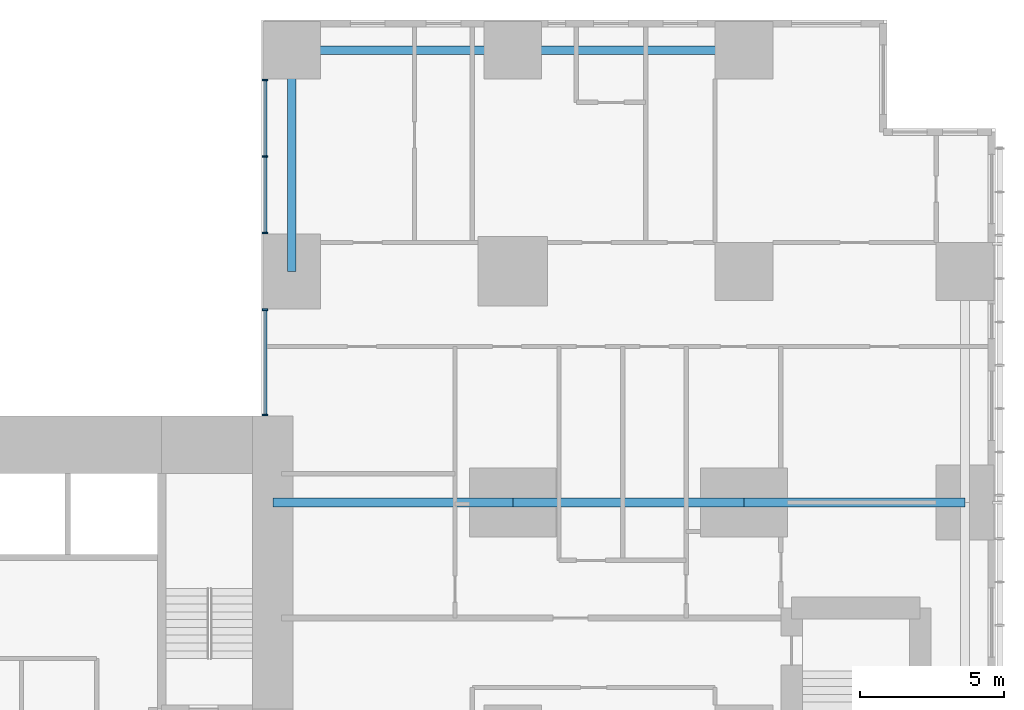
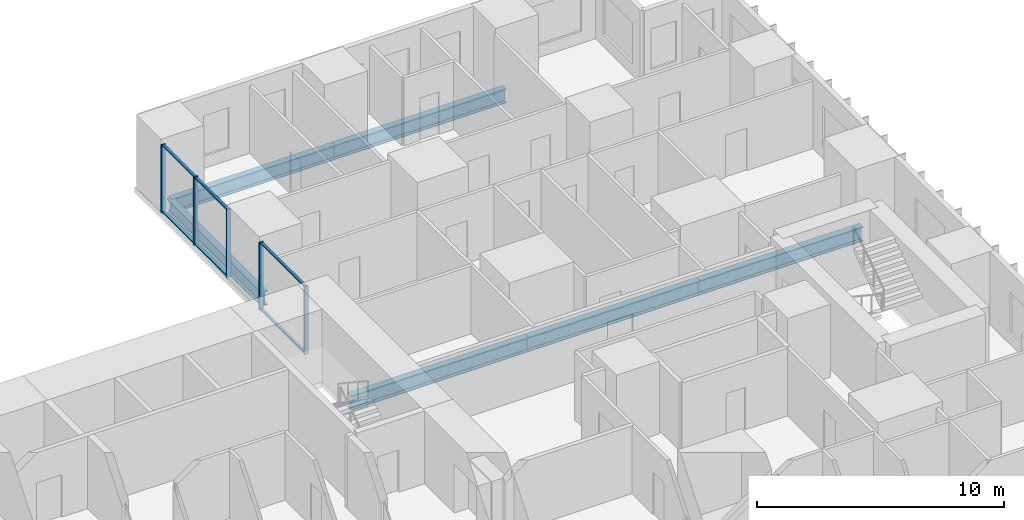
# One storey, part 5 of 20: 11 members, 6 beams, 2 elements without a shape of their own.
"""IFC4 building model written with IfcOpenShell, lengths in metres."""

from ifc_helpers import new_model, si_unit, direction, frame, origin, origin_2d, place, context, subcontext, project, spatial, rectangle, i_section, extrude, material, layer, layer_set, material_profile, profile_set, type_object, element, aggregate, save


model = new_model("IFC4")

# Units and contexts
model_context = context("Model", 3, precision=1e-05, world=origin(), true_north=direction((0.0, 1.0)))
body_context = subcontext(model_context, "Body", "Model", "MODEL_VIEW")
ifc_project = project(units=[si_unit("LENGTHUNIT", "METRE"), si_unit("AREAUNIT", "SQUARE_METRE"), si_unit("VOLUMEUNIT", "CUBIC_METRE"), si_unit("PLANEANGLEUNIT", "RADIAN"), si_unit("MASSUNIT", "GRAM", prefix="KILO")], contexts=[model_context])

# Site, building, storey
site_placement = place(None, origin())
site = spatial("IfcSite", under=ifc_project, at=site_placement, CompositionType="ELEMENT")
building_placement = place(site_placement, origin())
building = spatial("IfcBuilding", under=site, at=building_placement, Name="Cleftline Residences", CompositionType="ELEMENT")
storey_placement = place(building_placement, frame((0.0, 0.0, 36.800048828125)))
storey = spatial("IfcBuildingStorey", under=building, at=storey_placement, Name="L08", CompositionType="ELEMENT", Elevation=36.800048828125)

# Beams
ifc_material_1 = material(Name="Steel S355", Category="steel")
ifc_material_profile_1 = material_profile(ifc_material_1, i_section(OverallWidth=0.300048828125, OverallDepth=0.699951171875, WebThickness=0.01708984375, FlangeThickness=0.031982421875, FilletRadius=0.027099609375, at=origin_2d()))
ifc_profile_set_1 = profile_set([ifc_material_profile_1], Name="Steel S355")
beam_type_1 = type_object("IfcBeamType", Name="BEAM HEB 700", PredefinedType="BEAM", material=ifc_profile_set_1)
beam_1_placement = place(storey_placement, frame((58.0, 47.64990234375, -0.60009765625), z_axis=(-1.0, 0.0, 0.0), x_axis=(0.0, -1.0, 0.0)))
element("IfcBeam", 1, at=beam_1_placement, inside=storey, type_object=beam_type_1, Name="Edge beam", PredefinedType="BEAM", context=body_context, shape_type="SweptSolid", body=[
    extrude(i_section(OverallWidth=0.300048828125, OverallDepth=0.699951171875, WebThickness=0.01708984375, FlangeThickness=0.031982421875, FilletRadius=0.027099609375, at=origin_2d()), origin(), (0.0, 0.0, 1.0), 8.0),
])
for number, where, z_axis, x_axis, name in (
    (2, (50.0, 47.64990234375, -0.60009765625), (-1.0, 0.0, 0.0), (0.0, -1.0, 0.0), "Edge beam"),
    (3, (42.35009765625, 47.64990234375, -0.60009765625), (0.0, -1.0, 0.0), (1.0, 0.0, 0.0), "Edge beam"),
):
    element("IfcBeam", number, at=place(storey_placement, frame(where, z_axis=z_axis, x_axis=x_axis)), inside=storey, type_object=beam_type_1, Name=name, PredefinedType="BEAM", context=body_context, shape_type="SweptSolid", body=[
        extrude(i_section(OverallWidth=0.300048828125, OverallDepth=0.699951171875, WebThickness=0.01708984375, FlangeThickness=0.031982421875, FilletRadius=0.027099609375, at=origin_2d()), origin(), (0.0, 0.0, 1.0), 7.64990234375),
    ])
ifc_material_2 = material(Name="Steel S355", Category="steel")
ifc_material_profile_2 = material_profile(ifc_material_2, i_section(OverallWidth=0.303955078125, OverallDepth=0.716064453125, WebThickness=0.02099609375, FlangeThickness=0.0400390625, FilletRadius=0.027099609375, at=origin_2d()))
ifc_profile_set_2 = profile_set([ifc_material_profile_2], Name="Steel S355")
beam_type_2 = type_object("IfcBeamType", Name="BEAM HEM 700", PredefinedType="BEAM", material=ifc_profile_set_2)
beam_2_placement = place(storey_placement, frame((65.64990234375, 32.0, -0.608154296875), z_axis=(-1.0, 0.0, 0.0), x_axis=(0.0, -1.0, 0.0)))
element("IfcBeam", 4, at=beam_2_placement, inside=storey, type_object=beam_type_2, Name="Band beam", PredefinedType="BEAM", context=body_context, shape_type="SweptSolid", body=[
    extrude(i_section(OverallWidth=0.303955078125, OverallDepth=0.716064453125, WebThickness=0.02099609375, FlangeThickness=0.0400390625, FilletRadius=0.027099609375, at=origin_2d()), origin(), (0.0, 0.0, 1.0), 7.64990234375),
])
beam_3_placement = place(storey_placement, frame((58.0, 32.0, -0.608154296875), z_axis=(-1.0, 0.0, 0.0), x_axis=(0.0, -1.0, 0.0)))
element("IfcBeam", 5, at=beam_3_placement, inside=storey, type_object=beam_type_2, Name="Band beam", PredefinedType="BEAM", context=body_context, shape_type="SweptSolid", body=[
    extrude(i_section(OverallWidth=0.303955078125, OverallDepth=0.716064453125, WebThickness=0.02099609375, FlangeThickness=0.0400390625, FilletRadius=0.027099609375, at=origin_2d()), origin(), (0.0, 0.0, 1.0), 8.0),
])
beam_4_placement = place(storey_placement, frame((50.0, 32.0, -0.608154296875), z_axis=(-1.0, 0.0, 0.0), x_axis=(0.0, -1.0, 0.0)))
element("IfcBeam", 6, at=beam_4_placement, inside=storey, type_object=beam_type_2, Name="Band beam", PredefinedType="BEAM", context=body_context, shape_type="SweptSolid", body=[
    extrude(i_section(OverallWidth=0.303955078125, OverallDepth=0.716064453125, WebThickness=0.02099609375, FlangeThickness=0.0400390625, FilletRadius=0.027099609375, at=origin_2d()), origin(), (0.0, 0.0, 1.0), 8.300048828125),
])

# Curtain wall, members
ifc_material_3 = material(Name="Aluminium framed curtain wall", Category="aluminium")
ifc_layer = layer(ifc_material_3, 0.199951171875)
ifc_layer_set = layer_set([ifc_layer], Name="CW1 CLEFT GLAZING")
curtain_wall_type = type_object("IfcCurtainWallType", Name="CW1 CLEFT GLAZING", PredefinedType="NOTDEFINED", material=ifc_layer_set)
curtain_wall_1_placement = place(storey_placement, origin())
curtain_wall_1 = element("IfcCurtainWall", 7, at=curtain_wall_1_placement, inside=storey, type_object=curtain_wall_type, Name="Curtain wall CW1", PredefinedType="NOTDEFINED")
ifc_material_4 = material(Name="Aluminium mullion", Category="aluminium")
ifc_material_profile_3 = material_profile(ifc_material_4, rectangle(XDim=0.199951171875, YDim=0.06005859375, at=origin_2d()))
ifc_profile_set_3 = profile_set([ifc_material_profile_3], Name="Aluminium mullion")
member_type_1 = type_object("IfcMemberType", Name="CW1 MULLION", PredefinedType="MULLION", material=ifc_profile_set_3)
member_1_placement = place(storey_placement, frame((41.425048828125, 46.6201171875, 0.0), z_axis=(0.0, 0.0, 1.0), x_axis=(1.0, 0.0, 0.0)))
member_1 = element("IfcMember", 8, at=member_1_placement, type_object=member_type_1, Name="CW1 mullion 1", PredefinedType="MULLION", context=body_context, shape_type="SweptSolid", body=[
    extrude(rectangle(XDim=0.199951171875, YDim=0.06005859375, at=origin_2d()), origin(), (0.0, 0.0, 1.0), 3.349853515625),
])
member_2_placement = place(storey_placement, frame((41.425048828125, 43.97509765625, 0.0), z_axis=(0.0, 0.0, 1.0), x_axis=(1.0, 0.0, 0.0)))
member_2 = element("IfcMember", 9, at=member_2_placement, type_object=member_type_1, Name="CW1 mullion 2", PredefinedType="MULLION", context=body_context, shape_type="SweptSolid", body=[
    extrude(rectangle(XDim=0.199951171875, YDim=0.06005859375, at=origin_2d()), origin(), (0.0, 0.0, 1.0), 3.349853515625),
])
member_3_placement = place(storey_placement, frame((41.425048828125, 41.330078125, 0.0), z_axis=(0.0, 0.0, 1.0), x_axis=(1.0, 0.0, 0.0)))
member_3 = element("IfcMember", 10, at=member_3_placement, type_object=member_type_1, Name="CW1 mullion 3", PredefinedType="MULLION", context=body_context, shape_type="SweptSolid", body=[
    extrude(rectangle(XDim=0.199951171875, YDim=0.06005859375, at=origin_2d()), origin(), (0.0, 0.0, 1.0), 3.349853515625),
])

curtain_wall_2_placement = place(storey_placement, origin())
curtain_wall_2 = element("IfcCurtainWall", 11, at=curtain_wall_2_placement, inside=storey, type_object=curtain_wall_type, Name="Curtain wall CW1", PredefinedType="NOTDEFINED")
member_4_placement = place(storey_placement, frame((41.425048828125, 38.669921875, 0.0), z_axis=(0.0, 0.0, 1.0), x_axis=(1.0, 0.0, 0.0)))
member_4 = element("IfcMember", 12, at=member_4_placement, type_object=member_type_1, Name="CW1 mullion 1", PredefinedType="MULLION", context=body_context, shape_type="SweptSolid", body=[
    extrude(rectangle(XDim=0.199951171875, YDim=0.06005859375, at=origin_2d()), origin(), (0.0, 0.0, 1.0), 3.349853515625),
])
member_5_placement = place(storey_placement, frame((41.425048828125, 35.030029296875, 0.0), z_axis=(0.0, 0.0, 1.0), x_axis=(1.0, 0.0, 0.0)))
member_5 = element("IfcMember", 13, at=member_5_placement, type_object=member_type_1, Name="CW1 mullion 2", PredefinedType="MULLION", context=body_context, shape_type="SweptSolid", body=[
    extrude(rectangle(XDim=0.199951171875, YDim=0.06005859375, at=origin_2d()), origin(), (0.0, 0.0, 1.0), 3.349853515625),
])

# Member
ifc_material_5 = material(Name="Aluminium transom", Category="aluminium")
ifc_material_profile_4 = material_profile(ifc_material_5, rectangle(XDim=0.1201171875, YDim=0.06005859375, at=origin_2d()))
ifc_profile_set_4 = profile_set([ifc_material_profile_4], Name="Aluminium transom")
member_type_2 = type_object("IfcMemberType", Name="CW1 TRANSOM", PredefinedType="USERDEFINED", material=ifc_profile_set_4)
member_6_placement = place(storey_placement, frame((41.425048828125, 46.590087890625, 0.030029296875), z_axis=(0.0, -1.0, 0.0), x_axis=(1.0, 0.0, 0.0)))
member_6 = element("IfcMember", 14, at=member_6_placement, type_object=member_type_2, Name="CW1 transom 1.1", ObjectType="TRANSOM", PredefinedType="USERDEFINED", context=body_context, shape_type="SweptSolid", body=[
    extrude(rectangle(XDim=0.1201171875, YDim=0.06005859375, at=origin_2d()), origin(), (0.0, 0.0, 1.0), 2.585205078125),
])

member_7_placement = place(storey_placement, frame((41.425048828125, 46.590087890625, 3.320068359375), z_axis=(0.0, -1.0, 0.0), x_axis=(1.0, 0.0, 0.0)))
member_7 = element("IfcMember", 15, at=member_7_placement, type_object=member_type_2, Name="CW1 transom 1.2", ObjectType="TRANSOM", PredefinedType="USERDEFINED", context=body_context, shape_type="SweptSolid", body=[
    extrude(rectangle(XDim=0.1201171875, YDim=0.06005859375, at=origin_2d()), origin(), (0.0, 0.0, 1.0), 2.585205078125),
])

member_8_placement = place(storey_placement, frame((41.425048828125, 43.945068359375, 0.030029296875), z_axis=(0.0, -1.0, 0.0), x_axis=(1.0, 0.0, 0.0)))
member_8 = element("IfcMember", 16, at=member_8_placement, type_object=member_type_2, Name="CW1 transom 2.1", ObjectType="TRANSOM", PredefinedType="USERDEFINED", context=body_context, shape_type="SweptSolid", body=[
    extrude(rectangle(XDim=0.1201171875, YDim=0.06005859375, at=origin_2d()), origin(), (0.0, 0.0, 1.0), 2.5849609375),
])

member_9_placement = place(storey_placement, frame((41.425048828125, 43.945068359375, 3.320068359375), z_axis=(0.0, -1.0, 0.0), x_axis=(1.0, 0.0, 0.0)))
member_9 = element("IfcMember", 17, at=member_9_placement, type_object=member_type_2, Name="CW1 transom 2.2", ObjectType="TRANSOM", PredefinedType="USERDEFINED", context=body_context, shape_type="SweptSolid", body=[
    extrude(rectangle(XDim=0.1201171875, YDim=0.06005859375, at=origin_2d()), origin(), (0.0, 0.0, 1.0), 2.5849609375),
])

aggregate(curtain_wall_1, [member_1, member_2, member_3, member_6, member_7, member_8, member_9])

member_10_placement = place(storey_placement, frame((41.425048828125, 38.639892578125, 0.030029296875), z_axis=(0.0, -1.0, 0.0), x_axis=(1.0, 0.0, 0.0)))
member_10 = element("IfcMember", 18, at=member_10_placement, type_object=member_type_2, Name="CW1 transom 1.1", ObjectType="TRANSOM", PredefinedType="USERDEFINED", context=body_context, shape_type="SweptSolid", body=[
    extrude(rectangle(XDim=0.1201171875, YDim=0.06005859375, at=origin_2d()), origin(), (0.0, 0.0, 1.0), 3.579833984375),
])

member_11_placement = place(storey_placement, frame((41.425048828125, 38.639892578125, 3.320068359375), z_axis=(0.0, -1.0, 0.0), x_axis=(1.0, 0.0, 0.0)))
member_11 = element("IfcMember", 19, at=member_11_placement, type_object=member_type_2, Name="CW1 transom 1.2", ObjectType="TRANSOM", PredefinedType="USERDEFINED", context=body_context, shape_type="SweptSolid", body=[
    extrude(rectangle(XDim=0.1201171875, YDim=0.06005859375, at=origin_2d()), origin(), (0.0, 0.0, 1.0), 3.579833984375),
])

aggregate(curtain_wall_2, [member_4, member_5, member_10, member_11])

save(model, "model.ifc")
